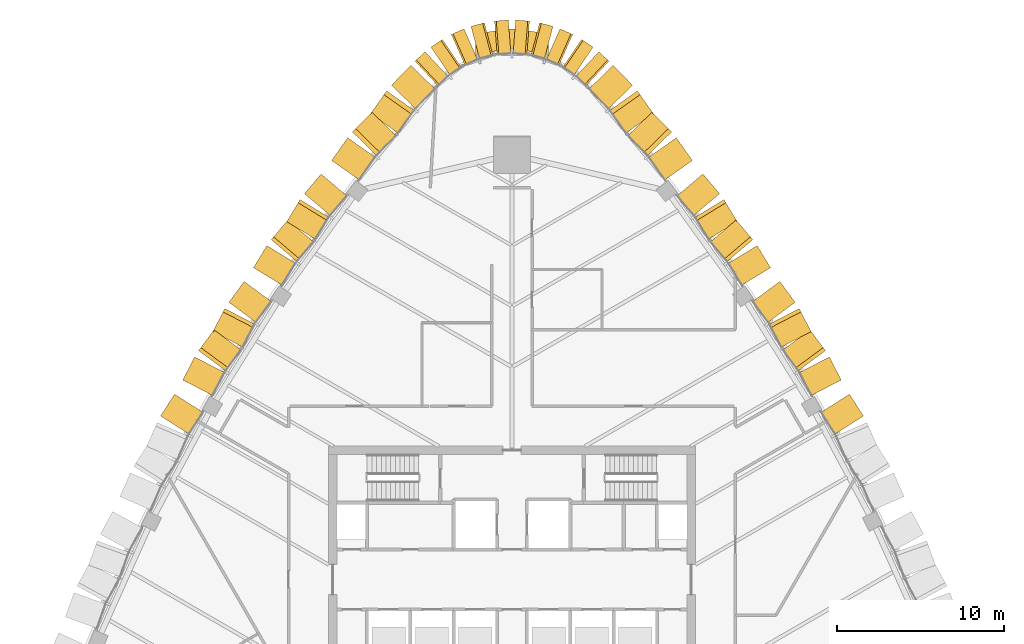
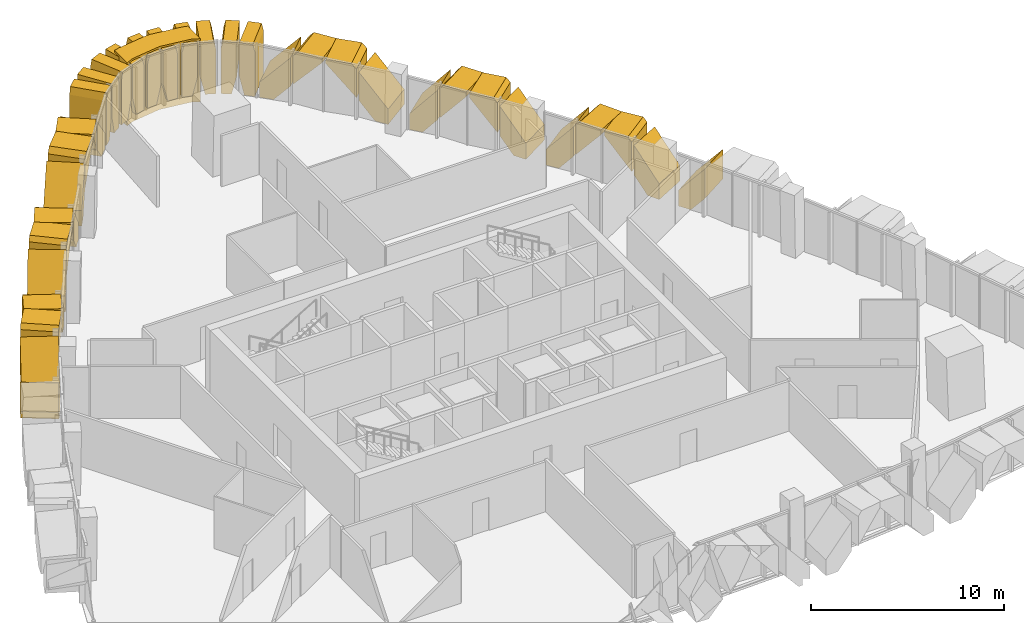
# One storey, part 19 of 20: 37 coverings.
"""IFC4 building model written with IfcOpenShell, lengths in metres."""

import ifcopenshell
import ifcopenshell.guid

model = None  # the IFC model being written
_history = None  # IfcOwnerHistory: only IFC2X3 demands one
_inside = {}  # id of a spatial element -> (the spatial element, [elements in it])
_under = {}  # id of a project, library or spatial element -> (it, [spatial elements below it])
_declared = {}  # id of a project -> (the project, [libraries it declares])
_typed = {}  # id of a type object -> (the type object, [elements of that type])
_made_of = {}  # id of a material, layer set ... -> (it, [elements and type objects made of it])


def new_model(schema):
    """Start an empty IFC model of exactly this schema.

    Asked for "IFC4X3", IfcOpenShell would pick the latest addendum, in which some entities
    have other attributes; the version numbers below select the first issue.
    IFC2X3 requires an IfcOwnerHistory on every rooted entity: one is made here for all.
    """
    global model, _history
    if schema == "IFC4X3":
        model = ifcopenshell.file(schema_version=(4, 3, 0, 0))
    else:
        model = ifcopenshell.file(schema=schema)
    _inside.clear()
    _under.clear()
    _declared.clear()
    _typed.clear()
    _made_of.clear()
    _history = None
    if model.schema == "IFC2X3":
        org = make("IfcOrganization", Name="unknown")
        user = make(
            "IfcPersonAndOrganization",
            ThePerson=make("IfcPerson", FamilyName="unknown"),
            TheOrganization=org,
        )
        app = make(
            "IfcApplication",
            ApplicationDeveloper=org,
            Version="unknown",
            ApplicationFullName="unknown",
            ApplicationIdentifier="unknown",
        )
        _history = make(
            "IfcOwnerHistory",
            OwningUser=user,
            OwningApplication=app,
            ChangeAction="ADDED",
            CreationDate=0,
        )
    return model


def make(cls, **values):
    """One entity of the class cls with the attributes given. An attribute that is None is left unset."""
    return model.create_entity(
        cls, **{name: value for name, value in values.items() if value is not None}
    )


def rooted(cls, **values):
    """An entity with a GlobalId (a new one), such as an element, a storey or a relation."""
    return make(cls, GlobalId=ifcopenshell.guid.new(), OwnerHistory=_history, **values)


def si_unit(unit_type, name, prefix=None):
    """IfcSIUnit, for example si_unit("LENGTHUNIT", "METRE", prefix="MILLI")."""
    return make("IfcSIUnit", UnitType=unit_type, Prefix=prefix, Name=name)


def assignment(units):
    """IfcUnitAssignment: the units of a project."""
    return None if units is None else make("IfcUnitAssignment", Units=units)


def point(xyz):
    """IfcCartesianPoint."""
    return None if xyz is None else make("IfcCartesianPoint", Coordinates=xyz)


def direction(xyz):
    """IfcDirection."""
    return None if xyz is None else make("IfcDirection", DirectionRatios=xyz)


def frame(location, z_axis=None, x_axis=None):
    """IfcAxis2Placement3D, a coordinate frame: its origin and axes. An axis left out is left unset."""
    return make(
        "IfcAxis2Placement3D",
        Location=point(location),
        Axis=direction(z_axis),
        RefDirection=direction(x_axis),
    )


def origin():
    """The frame at (0, 0, 0) with its axes left unset."""
    return frame((0.0, 0.0, 0.0))


def place(relative_to, where):
    """IfcLocalPlacement: puts the frame where relative to a parent placement (None: the world)."""
    return make(
        "IfcLocalPlacement", PlacementRelTo=relative_to, RelativePlacement=where
    )


def context(
    kind, dimensions, precision=None, world=None, true_north=None, identifier=None
):
    """IfcGeometricRepresentationContext, for example the 3D "Model" context."""
    return make(
        "IfcGeometricRepresentationContext",
        ContextIdentifier=identifier,
        ContextType=kind,
        CoordinateSpaceDimension=dimensions,
        Precision=precision,
        WorldCoordinateSystem=world,
        TrueNorth=true_north,
    )


def subcontext(parent, identifier, kind, view, scale=None):
    """IfcGeometricRepresentationSubContext, for example "Body" below "Model"."""
    return make(
        "IfcGeometricRepresentationSubContext",
        ContextIdentifier=identifier,
        ContextType=kind,
        ParentContext=parent,
        TargetScale=scale,
        TargetView=view,
    )


def project(units=None, contexts=None):
    """IfcProject with its units and contexts."""
    return rooted(
        "IfcProject",
        Name="project",
        RepresentationContexts=contexts,
        UnitsInContext=assignment(units),
    )


def spatial(cls, under=None, at=None, **own):
    """A site, building, storey or space (cls), placed at a placement, below another one or the project."""
    s = rooted(cls, ObjectPlacement=at, **own)
    if under is not None:
        _under.setdefault(under.id(), (under, []))[1].append(s)
    return s


def polyline(points):
    """IfcPolyline through the points."""
    return make("IfcPolyline", Points=[point(p) for p in points])


def outline(outer, holes=None, kind="AREA"):
    """IfcArbitraryClosedProfileDef: a profile drawn as a closed curve; with holes, ...WithVoids."""
    if holes is None:
        return make("IfcArbitraryClosedProfileDef", ProfileType=kind, OuterCurve=outer)
    return make(
        "IfcArbitraryProfileDefWithVoids",
        ProfileType=kind,
        OuterCurve=outer,
        InnerCurves=holes,
    )


def extrude(swept, where, along, depth):
    """IfcExtrudedAreaSolid: the profile swept, set in the frame where, extruded along a direction by depth."""
    return make(
        "IfcExtrudedAreaSolid",
        SweptArea=swept,
        Position=where,
        ExtrudedDirection=direction(along),
        Depth=depth,
    )


def shape(context_of_items, identifier, shape_type, items):
    """IfcShapeRepresentation: the items that make up one representation, for example the "Body"."""
    return make(
        "IfcShapeRepresentation",
        ContextOfItems=context_of_items,
        RepresentationIdentifier=identifier,
        RepresentationType=shape_type,
        Items=items,
    )


def material(Name=None, Category=None):
    """IfcMaterial."""
    return make("IfcMaterial", Name=Name, Category=Category)


def layer(
    of_material, thickness, ventilated=None, Name=None, Category=None, Priority=None
):
    """IfcMaterialLayer: one layer of a wall or slab, of a material (None: an air gap)."""
    return make(
        "IfcMaterialLayer",
        Material=of_material,
        LayerThickness=thickness,
        IsVentilated=ventilated,
        Name=Name,
        Category=Category,
        Priority=Priority,
    )


def layer_set(layers, Name=None):
    """IfcMaterialLayerSet."""
    return make("IfcMaterialLayerSet", MaterialLayers=layers, LayerSetName=Name)


def made_of(thing, what):
    """Note that an element or type object is made of a material, layer set ...; save() writes the relation."""
    if what is not None:
        _made_of.setdefault(what.id(), (what, []))[1].append(thing)
    return thing


def type_object(cls, material=None, **own):
    """A type object (cls), such as IfcWallType, which elements share."""
    return made_of(rooted(cls, **own), material)


def element(
    cls,
    number,
    at=None,
    inside=None,
    cuts=None,
    type_object=None,
    material=None,
    context=None,
    identifier="Body",
    shape_type=None,
    held_by="IfcProductDefinitionShape",
    body=None,
    shapes=None,
    **own,
):
    """One element of the class cls, such as IfcWall. Its Tag is "e" and its number.

    at: its placement. inside: the storey or other place that contains it. cuts: it is an
    opening in that element (IfcRelVoidsElement). A single representation is given by context,
    identifier, shape_type and body (its items); several are given by shapes. held_by: the class
    of the entity that holds the representations. save() writes the other relations.
    """
    e = rooted(cls, Tag="e%d" % number, ObjectPlacement=at, **own)
    if body is not None:
        shapes = [shape(context, identifier, shape_type, body)]
    if shapes is not None:
        e.Representation = make(held_by, Representations=shapes)
    if inside is not None:
        _inside.setdefault(inside.id(), (inside, []))[1].append(e)
    if cuts is not None:
        rooted(
            "IfcRelVoidsElement", RelatingBuildingElement=cuts, RelatedOpeningElement=e
        )
    if type_object is not None:
        _typed.setdefault(type_object.id(), (type_object, []))[1].append(e)
    return made_of(e, material)


def aggregate(whole, parts):
    """IfcRelAggregates: a whole, such as a stair, and the parts it consists of."""
    return rooted("IfcRelAggregates", RelatingObject=whole, RelatedObjects=parts)


def save(model, path):
    """Write the relations noted so far, then the file.

    IfcRelAggregates (storeys below a building ...), IfcRelContainedInSpatialStructure (elements
    in a storey), IfcRelDefinesByType, IfcRelAssociatesMaterial and IfcRelDeclares: one each for
    every whole, place, type object, material and project.
    """
    for whole, parts in _under.values():
        aggregate(whole, parts)
    for where, things in _inside.values():
        rooted(
            "IfcRelContainedInSpatialStructure",
            RelatedElements=things,
            RelatingStructure=where,
        )
    for kind, things in _typed.values():
        rooted("IfcRelDefinesByType", RelatedObjects=things, RelatingType=kind)
    for what, things in _made_of.values():
        rooted("IfcRelAssociatesMaterial", RelatedObjects=things, RelatingMaterial=what)
    for by, libraries in _declared.values():
        rooted("IfcRelDeclares", RelatingContext=by, RelatedDefinitions=libraries)
    model.write(path)


model = new_model("IFC4")

# Units and contexts
model_context = context("Model", 3, precision=1e-05, world=origin(), true_north=direction((0.0, 1.0)))
body_context = subcontext(model_context, "Body", "Model", "MODEL_VIEW")
ifc_project = project(units=[si_unit("LENGTHUNIT", "METRE"), si_unit("AREAUNIT", "SQUARE_METRE"), si_unit("VOLUMEUNIT", "CUBIC_METRE"), si_unit("PLANEANGLEUNIT", "RADIAN"), si_unit("MASSUNIT", "GRAM", prefix="KILO")], contexts=[model_context])

# Site, building, storey
site_placement = place(None, origin())
site = spatial("IfcSite", under=ifc_project, at=site_placement, CompositionType="ELEMENT")
building_placement = place(site_placement, origin())
building = spatial("IfcBuilding", under=site, at=building_placement, Name="Sierra Prisma Convention Tower", CompositionType="ELEMENT")
storey_placement = place(building_placement, frame((0.0, 0.0, 239.0)))
storey = spatial("IfcBuildingStorey", under=building, at=storey_placement, Name="L53", CompositionType="ELEMENT", Elevation=239.0)

# Coverings
ifc_material_1 = material(Name="Aluminium composite bronze anodised", Category="aluminium")
ifc_layer_1 = layer(ifc_material_1, 1.199951171875)
ifc_layer_set_1 = layer_set([ifc_layer_1], Name="Bronze corner pier")
covering_type_1 = type_object("IfcCoveringType", Name="Bronze corner pier", PredefinedType="CLADDING", material=ifc_layer_set_1)
covering_1_placement = place(storey_placement, frame((0.0, 0.0, -0.60009765625)))
element("IfcCovering", 1, at=covering_1_placement, inside=storey, type_object=covering_type_1, Name="Corner pier N L53.1", PredefinedType="CLADDING", context=body_context, shape_type="SweptSolid", body=[
    extrude(outline(polyline([(-0.16796875, 33.014404296875), (0.16796875, 33.014404296875), (1.92578125, 32.765869140625), (2.199951171875, 32.686767578125), (2.199951171875, 31.379638671875), (1.7578125, 31.57763671875), (0.0, 31.826171875), (-1.7578125, 31.57763671875), (-2.199951171875, 31.379638671875), (-2.199951171875, 32.686767578125), (-1.92578125, 32.765869140625), (-0.16796875, 33.014404296875)])), origin(), (0.0, 0.0, 1.0), 4.0),
])
ifc_material_2 = material(Name="Aluminium 6063-T6 bronze anodised", Category="aluminium")
ifc_layer_2 = layer(ifc_material_2, 2.0)
ifc_layer_set_2 = layer_set([ifc_layer_2], Name="Bronze crystal chevron frame")
covering_type_2 = type_object("IfcCoveringType", Name="Bronze crystal chevron frame", PredefinedType="CLADDING", material=ifc_layer_set_2)
covering_2_placement = place(storey_placement, frame((20.237060546875, 11.1171875, 0.0), z_axis=(0.842964920338, 0.537968533398, 1.2393278e-05), x_axis=(-1.0447098e-05, -6.667193e-06, 0.999999999923)))
element("IfcCovering", 2, at=covering_2_placement, inside=storey, type_object=covering_type_2, Name="CW-2 chevron frame NE3.2.2", PredefinedType="CLADDING", context=body_context, shape_type="SweptSolid", body=[
    extrude(outline(polyline([(0.0, 0.0), (1.0041503905478846, -8.505484648576507e-22), (2.855468749932728, 1.5552587369770088), (0.9897460938260092, 1.5552587369770088), (-4.4079335723539175e-10, 0.7237864128226306), (0.0, 0.0)])), origin(), (0.0, 0.0, -1.0), 2.0),
])
covering_3_placement = place(storey_placement, frame((19.746337890625, 11.96728515625, 0.0), z_axis=(0.887369952012, 0.461058094807, -3.8446198e-05), x_axis=(-0.461058095148, 0.887369952668, -5.862e-09)))
element("IfcCovering", 3, at=covering_3_placement, inside=storey, type_object=covering_type_2, Name="CW-2 chevron frame NE4.1.1", PredefinedType="CLADDING", context=body_context, shape_type="SweptSolid", body=[
    extrude(outline(polyline([(0.0, 0.0), (0.7236448709924027, 3.3881317890172014e-21), (1.5552807480759254, 0.9897461035984945), (1.555280737139105, 2.8554687584696223), (-5.886304907518252e-09, 1.0041503898828776), (0.0, 0.0)])), origin(), (0.0, 0.0, -1.0), 2.0),
])
covering_4_placement = place(storey_placement, frame((18.79443359375, 13.7236328125, 3.01025390625), z_axis=(0.804342255309, 0.594166249486, -6.554391e-05), x_axis=(-5.2719736e-05, -3.8943979e-05, -0.999999997852)))
element("IfcCovering", 4, at=covering_4_placement, inside=storey, type_object=covering_type_2, Name="CW-2 chevron frame NE4.1.2", PredefinedType="CLADDING", context=body_context, shape_type="SweptSolid", body=[
    extrude(outline(polyline([(0.0, 0.0), (1.865722652242424, -1.2642628482260475e-20), (0.01440429568510335, 1.5552658652812321), (-0.26977539120447813, 1.5552658652812321), (-0.26977540044046744, 0.2266184741641908), (0.0, 0.0)])), origin(), (0.0, 0.0, -1.0), 2.0),
])
covering_5_placement = place(storey_placement, frame((17.93603515625, 14.869140625, 3.280029296875), z_axis=(0.887387730573, 0.461023870337, -8.1290209e-05), x_axis=(-7.2135934e-05, -3.7476727e-05, -0.999999996696)))
element("IfcCovering", 5, at=covering_5_placement, inside=storey, type_object=covering_type_2, Name="CW-2 chevron frame NE4.2.1", PredefinedType="CLADDING", context=body_context, shape_type="SweptSolid", body=[
    extrude(outline(polyline([(0.0, 0.0), (0.2841796865610564, 0.0), (2.1354980416019123, 1.5552807541886766), (0.2697753915163511, 1.5552807541886766), (-1.4206765494283202e-08, 1.3284773524708804), (0.0, 0.0)])), origin(), (0.0, 0.0, -1.0), 2.0),
])
covering_6_placement = place(storey_placement, frame((16.060302734375, 17.87646484375, 0.0), z_axis=(0.804349342869, 0.594156658319, -8.74576e-07), x_axis=(7.03465e-07, 5.19635e-07, 1.0)))
element("IfcCovering", 6, at=covering_6_placement, inside=storey, type_object=covering_type_2, Name="CW-2 chevron frame NE4.2.2", PredefinedType="CLADDING", context=body_context, shape_type="SweptSolid", body=[
    extrude(outline(polyline([(0.0, 0.0), (1.004150390624616, -5.315927905360317e-23), (2.855468749999665, 1.5552658653815072), (0.9897460937503786, 1.5552658653815072), (-2.195117624257487e-12, 0.723603200366587), (0.0, 0.0)])), origin(), (0.0, 0.0, -1.0), 2.0),
])
covering_7_placement = place(storey_placement, frame((15.50634765625, 18.701171875, 0.0), z_axis=(0.85383808257, 0.520538690922, -2.538086e-06), x_axis=(-0.520538690924, 0.853838082572, -2.6e-11)))
element("IfcCovering", 7, at=covering_7_placement, inside=storey, type_object=covering_type_2, Name="CW-2 chevron frame NE5.1.1", PredefinedType="CLADDING", context=body_context, shape_type="SweptSolid", body=[
    extrude(outline(polyline([(0.0, 0.0), (0.7222716261233305, 2.117582368135751e-22), (1.5477546926051091, 0.9870605469179002), (1.5477546925571086, 2.857421875036876), (-2.5845370676136114e-11, 1.0070800781217562), (0.0, 0.0)])), origin(), (0.0, 0.0, -1.0), 2.0),
])
covering_8_placement = place(storey_placement, frame((14.44091796875, 20.382080078125, 3.012939453125), z_axis=(0.761895845159, 0.647699559574, -4.0706141e-05), x_axis=(-3.101384e-05, -2.636535e-05, -0.999999999172)))
element("IfcCovering", 8, at=covering_8_placement, inside=storey, type_object=covering_type_2, Name="CW-2 chevron frame NE5.1.2", PredefinedType="CLADDING", context=body_context, shape_type="SweptSolid", body=[
    extrude(outline(polyline([(0.0, 0.0), (1.870361326575415, 6.337030672768745e-21), (0.020019530790848738, 1.547707843989583), (-0.2670898439712826, 1.547707843989583), (-0.2670898475461898, 0.22326160744661205), (0.0, 0.0)])), origin(), (0.0, 0.0, -1.0), 2.0),
])
covering_9_placement = place(storey_placement, frame((13.511474609375, 21.460693359375, 3.280029296875), z_axis=(0.853837892812, 0.52053900206, 1.1491655e-05), x_axis=(9.812011e-06, 5.981855e-06, -0.999999999934)))
element("IfcCovering", 9, at=covering_9_placement, inside=storey, type_object=covering_type_2, Name="CW-2 chevron frame NE5.2.1", PredefinedType="CLADDING", context=body_context, shape_type="SweptSolid", body=[
    extrude(outline(polyline([(0.0, 0.0), (0.28710937498104244, 0.0), (2.1374511717691376, 1.547754692629425), (0.2670898437676357, 1.547754692629425), (-2.849115792153439e-10, 1.32445782755925), (0.0, 0.0)])), origin(), (0.0, 0.0, -1.0), 2.0),
])
covering_10_placement = place(storey_placement, frame((11.443603515625, 24.32080078125, 0.0), z_axis=(0.761903464722, 0.647690597731, -7.429906e-06), x_axis=(5.660871e-06, 4.812281e-06, 0.999999999972)))
element("IfcCovering", 10, at=covering_10_placement, inside=storey, type_object=covering_type_2, Name="CW-2 chevron frame NE5.2.2", PredefinedType="CLADDING", context=body_context, shape_type="SweptSolid", body=[
    extrude(outline(polyline([(0.0, 0.0), (1.007080078097203, 0.0), (2.8574218749756195, 1.5477078440103946), (0.9870605469022447, 1.5477078440103946), (-1.5884486205402923e-10, 0.722242576859872), (0.0, 0.0)])), origin(), (0.0, 0.0, -1.0), 2.0),
])
covering_11_placement = place(storey_placement, frame((10.81689453125, 25.13037109375, 0.0), z_axis=(0.816511961254, 0.577328516163, 3.9410491e-05), x_axis=(-0.577328516611, 0.816511961889, -5.744e-09)))
element("IfcCovering", 11, at=covering_11_placement, inside=storey, type_object=covering_type_2, Name="CW-2 chevron frame NE6.1.1", PredefinedType="CLADDING", context=body_context, shape_type="SweptSolid", body=[
    extrude(outline(polyline([(0.0, 0.0), (0.7465369142224423, 1.6940658945086007e-21), (1.6711639717823061, 1.0295410260241922), (1.6711639614647351, 2.82568360275432), (-5.542346236593945e-09, 0.9648437492507089), (0.0, 0.0)])), origin(), (0.0, 0.0, -1.0), 2.0),
])
covering_12_placement = place(storey_placement, frame((9.568115234375, 26.835693359375, 2.970458984375), z_axis=(0.715966491332, 0.698134645177, 2.2187868e-05), x_axis=(1.588577e-05, 1.5490119e-05, -0.999999999754)))
element("IfcCovering", 12, at=covering_12_placement, inside=storey, type_object=covering_type_2, Name="CW-2 chevron frame NE6.1.2", PredefinedType="CLADDING", context=body_context, shape_type="SweptSolid", body=[
    extrude(outline(polyline([(0.0, 0.0), (1.7961425776828783, -3.0427838832763123e-21), (-0.06469726576147665, 1.6708796737965483), (-0.309570312576201, 1.6708796737965483), (-0.30957031358099596, 0.27796136075003186), (0.0, 0.0)])), origin(), (0.0, 0.0, -1.0), 2.0),
])
covering_13_placement = place(storey_placement, frame((8.481201171875, 27.9365234375, 3.280029296875), z_axis=(0.816421912667, 0.577455847692, 6.6965282e-05), x_axis=(5.4671923e-05, 3.8669494e-05, -0.999999997758)))
element("IfcCovering", 13, at=covering_13_placement, inside=storey, type_object=covering_type_2, Name="CW-2 chevron frame NE6.2.1", PredefinedType="CLADDING", context=body_context, shape_type="SweptSolid", body=[
    extrude(outline(polyline([(0.0, 0.0), (0.24487304632595192, 0.0), (2.1057128872918454, 1.6713049441329368), (0.30957031319411066, 1.6713049441329368), (-9.152626273130587e-09, 1.3933115668706004), (0.0, 0.0)])), origin(), (0.0, 0.0, -1.0), 2.0),
])
covering_14_placement = place(storey_placement, frame((6.065673828125, 30.838134765625, 0.0), z_axis=(0.715889309362, 0.698213790133, 2.978945e-06), x_axis=(-2.132595e-06, -2.07994e-06, 0.999999999996)))
element("IfcCovering", 14, at=covering_14_placement, inside=storey, type_object=covering_type_2, Name="CW-2 chevron frame NE6.2.2", PredefinedType="CLADDING", context=body_context, shape_type="SweptSolid", body=[
    extrude(outline(polyline([(0.0, 0.0), (0.964843749995719, 0.0), (2.8256835937465987, 1.6710501266970867), (1.0295410156295681, 1.6710501266970867), (-2.4501302496685932e-11, 0.7465254248392593), (0.0, 0.0)])), origin(), (0.0, 0.0, -1.0), 2.0),
])
covering_15_placement = place(storey_placement, frame((5.8154296875, 31.08349609375, 0.0), z_axis=(0.683637039867, 0.729822168517, 7.961954e-06), x_axis=(-0.72982216854, 0.683637039888, -7.71e-10)))
element("IfcCovering", 15, at=covering_15_placement, inside=storey, type_object=covering_type_2, Name="CW-2 chevron frame N1.1.1", PredefinedType="CLADDING", context=body_context, shape_type="SweptSolid", body=[
    extrude(outline(polyline([(0.0, 0.0), (0.5566929281339847, 4.235164736271502e-22), (0.8296015180739731, 1.1433105475616638), (0.829601516427155, 3.2800292974939373), (0.10605317820298225, 3.280029296766772), (-2.1857220496211277e-09, 2.8359374999101106), (0.0, 0.0)])), origin(), (0.0, 0.0, -1.0), 2.0),
])
covering_16_placement = place(storey_placement, frame((4.863525390625, 31.92724609375, 3.280029296875), z_axis=(0.560806176616, 0.827947119159, -1.2075232e-05), x_axis=(-6.771865e-06, -9.997654e-06, -0.999999999927)))
element("IfcCovering", 16, at=covering_16_placement, inside=storey, type_object=covering_type_2, Name="CW-2 chevron frame N1.1.2", PredefinedType="CLADDING", context=body_context, shape_type="SweptSolid", body=[
    extrude(outline(polyline([(0.0, 0.0), (2.1367187498442215, 0.0), (3.280029297177354, 0.2730235608303003), (3.280029296757834, 0.8297704507302359), (0.4440917969645898, 0.8297704507302359), (-2.8565344866844725e-10, 0.7239333128573501), (0.0, 0.0)])), origin(), (0.0, 0.0, -1.0), 2.0),
])
covering_17_placement = place(storey_placement, frame((3.63671875, 32.69140625, 0.0), z_axis=(0.403738253101, 0.914874539447, 7.433366e-06), x_axis=(-0.914874539472, 0.403738253112, 7e-12)))
element("IfcCovering", 17, at=covering_17_placement, inside=storey, type_object=covering_type_2, Name="CW-2 chevron frame N2.1.1", PredefinedType="CLADDING", context=body_context, shape_type="SweptSolid", body=[
    extrude(outline(polyline([(0.0, 0.0), (0.556930198973188, 0.0), (0.8296566959284423, 1.1433105468633018), (0.8296566959443407, 3.2800292968042695), (0.10592270179808118, 3.2800292971121454), (2.1100943046847243e-11, 2.8359374999216502), (0.0, 0.0)])), origin(), (0.0, 0.0, -1.0), 2.0),
])
covering_18_placement = place(storey_placement, frame((2.459228515625, 33.1728515625, 3.280029296875), z_axis=(0.255661194309, 0.966766442177, 2.028054e-06), x_axis=(5.18495e-07, 1.960654e-06, -0.999999999998)))
element("IfcCovering", 18, at=covering_18_placement, inside=storey, type_object=covering_type_2, Name="CW-2 chevron frame N2.1.2", PredefinedType="CLADDING", context=body_context, shape_type="SweptSolid", body=[
    extrude(outline(polyline([(0.0, 0.0), (2.1367187499956057, -2.2623389753325307e-22), (3.2800292969303695, 0.27299649061730036), (3.280029296876847, 0.8298252214005142), (0.4440917968826791, 0.8298252214005142), (4.158118453958422e-11, 0.7237655782648433), (0.0, 0.0)])), origin(), (0.0, 0.0, -1.0), 2.0),
])
covering_19_placement = place(storey_placement, frame((1.048828125, 33.488525390625, 0.0), z_axis=(0.078296694022, 0.996930101548, 1.8219568e-05), x_axis=(-0.996930101714, 0.078296694035, -3.225e-09)))
element("IfcCovering", 19, at=covering_19_placement, inside=storey, type_object=covering_type_2, Name="CW-2 chevron frame N3.1.1", PredefinedType="CLADDING", context=body_context, shape_type="SweptSolid", body=[
    extrude(outline(polyline([(0.0, 0.0), (0.556893105353897, 1.0587911840678754e-22), (0.8296938696570918, 1.1433105497429201), (0.8296938627653915, 3.280029299388276), (0.10603827595373376, 3.280029296703053), (-9.146936785511547e-09, 2.835937499529302), (0.0, 0.0)])), origin(), (0.0, 0.0, -1.0), 2.0),
])
covering_20_placement = place(storey_placement, frame((-0.2216796875, 33.553466796875, 3.280029296875), z_axis=(-0.078296694022, 0.996930101548, 1.8219568e-05), x_axis=(-1.426532e-06, 1.8163636e-05, -0.999999999834)))
element("IfcCovering", 20, at=covering_20_placement, inside=storey, type_object=covering_type_2, Name="CW-2 chevron frame N3.1.2", PredefinedType="CLADDING", context=body_context, shape_type="SweptSolid", body=[
    extrude(outline(polyline([(0.0, 0.0), (2.1367187496453552, -4.524677950665061e-22), (3.280029298508393, 0.27280076799078984), (3.280029296712209, 0.8296938733446869), (0.4440917971829073, 0.8296938733446869), (3.511682751138941e-10, 0.7236555868116578), (0.0, 0.0)])), origin(), (0.0, 0.0, -1.0), 2.0),
])
covering_21_placement = place(storey_placement, frame((-1.656982421875, 33.385009765625, 0.0), z_axis=(-0.255661194309, 0.966766442177, 2.028054e-06), x_axis=(-0.966766442179, -0.25566119431, -9.6e-11)))
element("IfcCovering", 21, at=covering_21_placement, inside=storey, type_object=covering_type_2, Name="CW-2 chevron frame N4.1.1", PredefinedType="CLADDING", context=body_context, shape_type="SweptSolid", body=[
    extrude(outline(polyline([(0.0, 0.0), (0.5568287307832138, -5.293955920339377e-23), (0.8298252212906192, 1.143310546961004), (0.8298252210852376, 3.2800292969566094), (0.10605964282039414, 3.28002929684546), (-2.7259058992898073e-10, 2.8359374999941678), (0.0, 0.0)])), origin(), (0.0, 0.0, -1.0), 2.0),
])
covering_22_placement = place(storey_placement, frame((-2.877685546875, 33.0263671875, 3.280029296875), z_axis=(-0.403738253101, 0.914874539447, 7.433366e-06), x_axis=(-3.001134e-06, 6.800597e-06, -0.999999999972)))
element("IfcCovering", 22, at=covering_22_placement, inside=storey, type_object=covering_type_2, Name="CW-2 chevron frame N4.1.2", PredefinedType="CLADDING", context=body_context, shape_type="SweptSolid", body=[
    extrude(outline(polyline([(0.0, 0.0), (2.136718749940968, 0.0), (3.280029296806299, 0.2727264969467474), (3.2800292968104428, 0.8296566959199354), (0.4440917968887926, 0.8296566959199354), (-3.0249100437201946e-10, 0.7237339941462594), (0.0, 0.0)])), origin(), (0.0, 0.0, -1.0), 2.0),
])
covering_23_placement = place(storey_placement, frame((-4.176513671875, 32.392578125, 0.0), z_axis=(-0.560806176616, 0.827947119159, -1.2075232e-05), x_axis=(-0.827947119219, -0.560806176657, -7.54e-10)))
element("IfcCovering", 23, at=covering_23_placement, inside=storey, type_object=covering_type_2, Name="CW-2 chevron frame N5.1.1", PredefinedType="CLADDING", context=body_context, shape_type="SweptSolid", body=[
    extrude(outline(polyline([(0.0, 0.0), (0.5567468898999356, 4.235164736271502e-22), (0.8297704498687287, 1.1433105475388616), (0.8297704482586686, 3.2800292973830834), (0.10583713540131859, 3.2800292971232388), (-2.1369353054579337e-09, 2.8359374997932445), (0.0, 0.0)])), origin(), (0.0, 0.0, -1.0), 2.0),
])
covering_24_placement = place(storey_placement, frame((-5.2099609375, 31.650634765625, 3.280029296875), z_axis=(-0.683637039867, 0.729822168517, 7.961954e-06), x_axis=(-5.443087e-06, 5.810811e-06, -0.999999999968)))
element("IfcCovering", 24, at=covering_24_placement, inside=storey, type_object=covering_type_2, Name="CW-2 chevron frame N5.1.2", PredefinedType="CLADDING", context=body_context, shape_type="SweptSolid", body=[
    extrude(outline(polyline([(0.0, 0.0), (2.1367187499322737, 0.0), (3.280029297283601, 0.27290859082116414), (3.2800292968545453, 0.8296015189551487), (0.44409179694443385, 0.8296015189551487), (1.6950996540945432e-10, 0.7235483382241727), (0.0, 0.0)])), origin(), (0.0, 0.0, -1.0), 2.0),
])
covering_25_placement = place(storey_placement, frame((-6.065673828125, 30.838134765625, 0.0), z_axis=(-0.715889309362, 0.698213790133, 2.978945e-06), x_axis=(-0.698213790136, -0.715889309365, -3.3e-11)))
element("IfcCovering", 25, at=covering_25_placement, inside=storey, type_object=covering_type_2, Name="CW-2 chevron frame NW1.1.1", PredefinedType="CLADDING", context=body_context, shape_type="SweptSolid", body=[
    extrude(outline(polyline([(0.0, 0.0), (0.7465254248392593, 0.0), (1.6710501266632967, 1.0295410156844127), (1.6710501266043465, 2.825683593801443), (-3.16666087906414e-11, 0.9648437499957189), (0.0, 0.0)])), origin(), (0.0, 0.0, -1.0), 2.0),
])
covering_26_placement = place(storey_placement, frame((-7.51611328125, 29.301025390625, 2.970458984375), z_axis=(-0.816421912667, 0.577455847692, 6.6965282e-05), x_axis=(-5.4671923e-05, 3.8669494e-05, -0.999999997758)))
element("IfcCovering", 26, at=covering_26_placement, inside=storey, type_object=covering_type_2, Name="CW-2 chevron frame NW1.1.2", PredefinedType="CLADDING", context=body_context, shape_type="SweptSolid", body=[
    extrude(outline(polyline([(0.0, 0.0), (1.796142574097735, 0.0), (-0.06469726686815874, 1.6713049441329368), (-0.30957031319411066, 1.6713049441329368), (-0.3095703223467369, 0.27799337726233664), (0.0, 0.0)])), origin(), (0.0, 0.0, -1.0), 2.0),
])
covering_27_placement = place(storey_placement, frame((-8.401611328125, 28.031982421875, 3.280029296875), z_axis=(-0.715966491332, 0.698134645177, 2.2187868e-05), x_axis=(-1.588577e-05, 1.5490119e-05, -0.999999999754)))
element("IfcCovering", 27, at=covering_27_placement, inside=storey, type_object=covering_type_2, Name="CW-2 chevron frame NW1.2.1", PredefinedType="CLADDING", context=body_context, shape_type="SweptSolid", body=[
    extrude(outline(polyline([(0.0, 0.0), (0.24487304681472433, 4.148310771953434e-22), (2.1057128902590794, 1.6708796737965483), (0.309570312576201, 1.6708796737965483), (-1.0047949926928574e-09, 1.3929183130465166), (0.0, 0.0)])), origin(), (0.0, 0.0, -1.0), 2.0),
])
covering_28_placement = place(storey_placement, frame((-10.81689453125, 25.13037109375, 0.0), z_axis=(-0.816511961254, 0.577328516163, 3.9410491e-05), x_axis=(3.2179138e-05, -2.27528e-05, 0.999999999223)))
element("IfcCovering", 28, at=covering_28_placement, inside=storey, type_object=covering_type_2, Name="CW-2 chevron frame NW1.2.2", PredefinedType="CLADDING", context=body_context, shape_type="SweptSolid", body=[
    extrude(outline(polyline([(0.0, 0.0), (0.9648437492507088, 3.2690177808095654e-21), (2.8256835931546624, 1.6711639776962928), (1.0295410164245349, 1.6711639776962928), (-4.288327576598846e-09, 0.7465369142224423), (0.0, 0.0)])), origin(), (0.0, 0.0, -1.0), 2.0),
])
covering_29_placement = place(storey_placement, frame((-11.44482421875, 24.3193359375, 0.0), z_axis=(-0.762003659576, 0.647572715367, -3.3245025e-05), x_axis=(-0.647572715725, -0.762003659997, -4.405e-09)))
element("IfcCovering", 29, at=covering_29_placement, inside=storey, type_object=covering_type_2, Name="CW-2 chevron frame NW2.1.1", PredefinedType="CLADDING", context=body_context, shape_type="SweptSolid", body=[
    extrude(outline(polyline([(0.0, 0.0), (0.7220844727163589, -1.6940658945086007e-21), (1.5472055863415644, 0.9868164136107643), (1.5472055781004799, 2.857666021951903), (-4.436183441867473e-09, 1.0070800775684714), (0.0, 0.0)])), origin(), (0.0, 0.0, -1.0), 2.0),
])
covering_30_placement = place(storey_placement, frame((-12.70654296875, 22.781005859375, 3.01318359375), z_axis=(-0.8538270467, 0.52055679114, -3.9002934e-05), x_axis=(3.330176e-05, -2.0303242e-05, -0.999999999239)))
element("IfcCovering", 30, at=covering_30_placement, inside=storey, type_object=covering_type_2, Name="CW-2 chevron frame NW2.1.2", PredefinedType="CLADDING", context=body_context, shape_type="SweptSolid", body=[
    extrude(outline(polyline([(0.0, 0.0), (1.870849607952005, 0.0), (0.020263671453653775, 1.5472106954311475), (-0.26684570332796675, 1.5472106954311475), (-0.2668457066107162, 0.2230884105722237), (0.0, 0.0)])), origin(), (0.0, 0.0, -1.0), 2.0),
])
covering_31_placement = place(storey_placement, frame((-13.439208984375, 21.560546875, 3.280029296875), z_axis=(-0.761926974276, 0.647662940914, 2.8932933e-05), x_axis=(-2.2044782e-05, 1.8738789e-05, -0.999999999581)))
element("IfcCovering", 31, at=covering_31_placement, inside=storey, type_object=covering_type_2, Name="CW-2 chevron frame NW2.2.1", PredefinedType="CLADDING", context=body_context, shape_type="SweptSolid", body=[
    extrude(outline(polyline([(0.0, 0.0), (0.2871093748798283, 4.863822001811803e-22), (2.1376953118286326, 1.547019566398495), (0.2668457032366902, 1.547019566398495), (-1.8064590583185961e-09, 1.3239439717940786), (0.0, 0.0)])), origin(), (0.0, 0.0, -1.0), 2.0),
])
covering_32_placement = place(storey_placement, frame((-15.50634765625, 18.701171875, 0.0), z_axis=(-0.853861678213, 0.520499984905, -1.3914369e-05), x_axis=(-1.1880946e-05, 7.242429e-06, 0.999999999903)))
element("IfcCovering", 32, at=covering_32_placement, inside=storey, type_object=covering_type_2, Name="CW-2 chevron frame NW2.2.2", PredefinedType="CLADDING", context=body_context, shape_type="SweptSolid", body=[
    extrude(outline(polyline([(0.0, 0.0), (1.0070800780275098, 0.0), (2.857666015539422, 1.547419153638316), (0.9868164063455286, 1.547419153638316), (-5.571949842175417e-10, 0.7222716250501668), (0.0, 0.0)])), origin(), (0.0, 0.0, -1.0), 2.0),
])
covering_33_placement = place(storey_placement, frame((-16.060546875, 17.876220703125, 0.0), z_axis=(-0.804349342869, 0.594156658319, -8.74576e-07), x_axis=(-0.59415665832, -0.804349342869, -3e-12)))
element("IfcCovering", 33, at=covering_33_placement, inside=storey, type_object=covering_type_2, Name="CW-2 chevron frame NW3.1.1", PredefinedType="CLADDING", context=body_context, shape_type="SweptSolid", body=[
    extrude(outline(polyline([(0.0, 0.0), (0.7236032003665869, -5.293955920339377e-23), (1.5552658653785045, 0.9897460937550966), (1.5552658653728446, 2.855468750004383), (-3.0461836249513756e-12, 1.004150390624616), (0.0, 0.0)])), origin(), (0.0, 0.0, -1.0), 2.0),
])
covering_34_placement = place(storey_placement, frame((-17.21923828125, 16.2490234375, 3.01025390625), z_axis=(-0.887380455078, 0.461037881145, 9.724477e-06), x_axis=(-8.629311e-06, 4.483352e-06, -0.999999999953)))
element("IfcCovering", 34, at=covering_34_placement, inside=storey, type_object=covering_type_2, Name="CW-2 chevron frame NW3.1.2", PredefinedType="CLADDING", context=body_context, shape_type="SweptSolid", body=[
    extrude(outline(polyline([(0.0, 0.0), (1.8657226561617835, -1.5803285602825594e-21), (0.014404296848807494, 1.5552807543410756), (-0.2697753906377557, 1.5552807543410756), (-0.26977539084106217, 0.226690846718356), (0.0, 0.0)])), origin(), (0.0, 0.0, -1.0), 2.0),
])
covering_35_placement = place(storey_placement, frame((-17.870361328125, 14.974365234375, 3.280029296875), z_axis=(-0.804292195888, 0.594234014048, -1.3477403e-05), x_axis=(1.083977e-05, -8.008732e-06, -0.999999999909)))
element("IfcCovering", 35, at=covering_35_placement, inside=storey, type_object=covering_type_2, Name="CW-2 chevron frame NW3.2.1", PredefinedType="CLADDING", context=body_context, shape_type="SweptSolid", body=[
    extrude(outline(polyline([(0.0, 0.0), (0.28417968747419076, 0.0), (2.135498046730056, 1.5550694978724917), (0.2697753906495011, 1.5550694978724917), (-3.905091284773344e-10, 1.328647398273537), (0.0, 0.0)])), origin(), (0.0, 0.0, -1.0), 2.0),
])
covering_36_placement = place(storey_placement, frame((-19.746337890625, 11.96728515625, 0.0), z_axis=(-0.887341192427, 0.461113443423, -2.271832e-05), x_axis=(-2.0158901e-05, 1.0475723e-05, 0.999999999742)))
element("IfcCovering", 36, at=covering_36_placement, inside=storey, type_object=covering_type_2, Name="CW-2 chevron frame NW3.2.2", PredefinedType="CLADDING", context=body_context, shape_type="SweptSolid", body=[
    extrude(outline(polyline([(0.0, 0.0), (1.004150390365868, 1.7010969297153014e-21), (2.8554687497739444, 1.5550641124454803), (0.9897460940054149, 1.5550641124454803), (-1.4812047360833943e-09, 0.7236448764668411), (0.0, 0.0)])), origin(), (0.0, 0.0, -1.0), 2.0),
])
covering_37_placement = place(storey_placement, frame((-20.237060546875, 11.1171875, 0.0), z_axis=(-0.842964920338, 0.537968533398, 1.2393278e-05), x_axis=(-0.537968533439, -0.842964920403, -6.09e-10)))
element("IfcCovering", 37, at=covering_37_placement, inside=storey, type_object=covering_type_2, Name="CW-2 chevron frame NW4.1.1", PredefinedType="CLADDING", context=body_context, shape_type="SweptSolid", body=[
    extrude(outline(polyline([(0.0, 0.0), (0.7237864128226306, 8.470329472543003e-22), (1.5552587363742432, 0.9897460947731777), (1.555258735237999, 2.855468750879896), (-6.115378984424002e-10, 1.0041503905478846), (0.0, 0.0)])), origin(), (0.0, 0.0, -1.0), 2.0),
])

save(model, "model.ifc")
